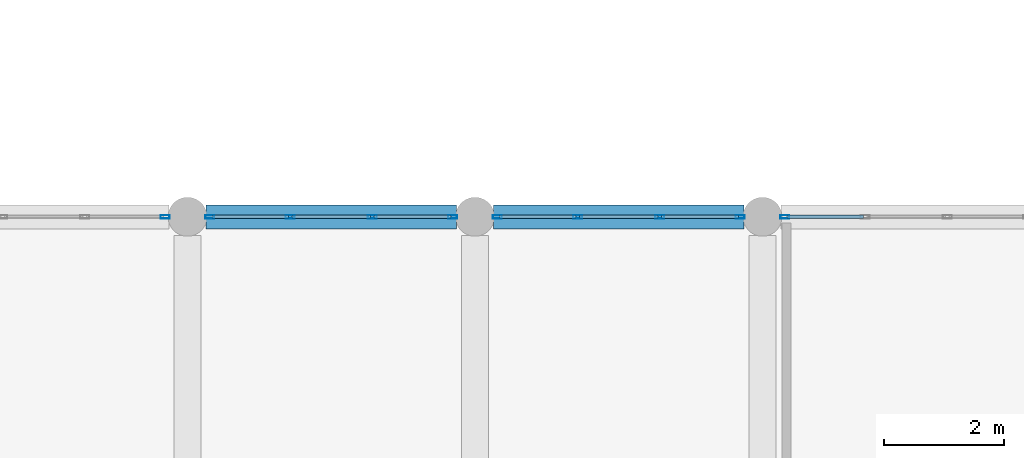
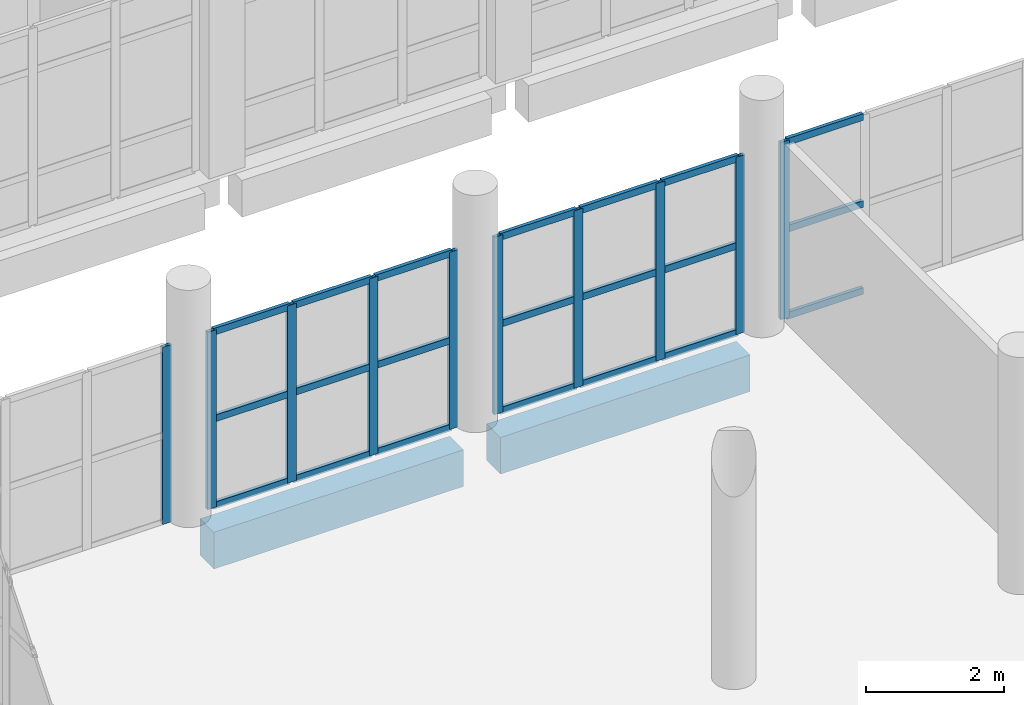
# One storey, part 82 of 164: 31 members, 2 beams, 4 elements without a shape of their own.
"""IFC4 building model written with IfcOpenShell, lengths in metres."""

import ifcopenshell
import ifcopenshell.guid

model = None  # the IFC model being written
_history = None  # IfcOwnerHistory: only IFC2X3 demands one
_inside = {}  # id of a spatial element -> (the spatial element, [elements in it])
_under = {}  # id of a project, library or spatial element -> (it, [spatial elements below it])
_declared = {}  # id of a project -> (the project, [libraries it declares])
_typed = {}  # id of a type object -> (the type object, [elements of that type])
_made_of = {}  # id of a material, layer set ... -> (it, [elements and type objects made of it])


def new_model(schema):
    """Start an empty IFC model of exactly this schema.

    Asked for "IFC4X3", IfcOpenShell would pick the latest addendum, in which some entities
    have other attributes; the version numbers below select the first issue.
    IFC2X3 requires an IfcOwnerHistory on every rooted entity: one is made here for all.
    """
    global model, _history
    if schema == "IFC4X3":
        model = ifcopenshell.file(schema_version=(4, 3, 0, 0))
    else:
        model = ifcopenshell.file(schema=schema)
    _inside.clear()
    _under.clear()
    _declared.clear()
    _typed.clear()
    _made_of.clear()
    _history = None
    if model.schema == "IFC2X3":
        org = make("IfcOrganization", Name="unknown")
        user = make(
            "IfcPersonAndOrganization",
            ThePerson=make("IfcPerson", FamilyName="unknown"),
            TheOrganization=org,
        )
        app = make(
            "IfcApplication",
            ApplicationDeveloper=org,
            Version="unknown",
            ApplicationFullName="unknown",
            ApplicationIdentifier="unknown",
        )
        _history = make(
            "IfcOwnerHistory",
            OwningUser=user,
            OwningApplication=app,
            ChangeAction="ADDED",
            CreationDate=0,
        )
    return model


def make(cls, **values):
    """One entity of the class cls with the attributes given. An attribute that is None is left unset."""
    return model.create_entity(
        cls, **{name: value for name, value in values.items() if value is not None}
    )


def rooted(cls, **values):
    """An entity with a GlobalId (a new one), such as an element, a storey or a relation."""
    return make(cls, GlobalId=ifcopenshell.guid.new(), OwnerHistory=_history, **values)


def si_unit(unit_type, name, prefix=None):
    """IfcSIUnit, for example si_unit("LENGTHUNIT", "METRE", prefix="MILLI")."""
    return make("IfcSIUnit", UnitType=unit_type, Prefix=prefix, Name=name)


def assignment(units):
    """IfcUnitAssignment: the units of a project."""
    return None if units is None else make("IfcUnitAssignment", Units=units)


def point(xyz):
    """IfcCartesianPoint."""
    return None if xyz is None else make("IfcCartesianPoint", Coordinates=xyz)


def direction(xyz):
    """IfcDirection."""
    return None if xyz is None else make("IfcDirection", DirectionRatios=xyz)


def frame(location, z_axis=None, x_axis=None):
    """IfcAxis2Placement3D, a coordinate frame: its origin and axes. An axis left out is left unset."""
    return make(
        "IfcAxis2Placement3D",
        Location=point(location),
        Axis=direction(z_axis),
        RefDirection=direction(x_axis),
    )


def frame_2d(location, x_axis=None):
    """IfcAxis2Placement2D, a coordinate frame in the plane: its origin and x axis."""
    return make(
        "IfcAxis2Placement2D", Location=point(location), RefDirection=direction(x_axis)
    )


def origin():
    """The frame at (0, 0, 0) with its axes left unset."""
    return frame((0.0, 0.0, 0.0))


def origin_2d():
    """The frame at (0, 0) in the plane with its x axis left unset."""
    return frame_2d((0.0, 0.0))


def place(relative_to, where):
    """IfcLocalPlacement: puts the frame where relative to a parent placement (None: the world)."""
    return make(
        "IfcLocalPlacement", PlacementRelTo=relative_to, RelativePlacement=where
    )


def context(
    kind, dimensions, precision=None, world=None, true_north=None, identifier=None
):
    """IfcGeometricRepresentationContext, for example the 3D "Model" context."""
    return make(
        "IfcGeometricRepresentationContext",
        ContextIdentifier=identifier,
        ContextType=kind,
        CoordinateSpaceDimension=dimensions,
        Precision=precision,
        WorldCoordinateSystem=world,
        TrueNorth=true_north,
    )


def subcontext(parent, identifier, kind, view, scale=None):
    """IfcGeometricRepresentationSubContext, for example "Body" below "Model"."""
    return make(
        "IfcGeometricRepresentationSubContext",
        ContextIdentifier=identifier,
        ContextType=kind,
        ParentContext=parent,
        TargetScale=scale,
        TargetView=view,
    )


def project(units=None, contexts=None):
    """IfcProject with its units and contexts."""
    return rooted(
        "IfcProject",
        Name="project",
        RepresentationContexts=contexts,
        UnitsInContext=assignment(units),
    )


def spatial(cls, under=None, at=None, **own):
    """A site, building, storey or space (cls), placed at a placement, below another one or the project."""
    s = rooted(cls, ObjectPlacement=at, **own)
    if under is not None:
        _under.setdefault(under.id(), (under, []))[1].append(s)
    return s


def profile(cls, at=None, kind="AREA", **sizes):
    """A parametric profile (cls). Its sizes go by their IFC names, for example OverallWidth=200.0."""
    return make(cls, ProfileType=kind, Position=at, **sizes)


def rectangle(**sizes):
    """IfcRectangleProfileDef."""
    return profile("IfcRectangleProfileDef", **sizes)


def hollow_rectangle(**sizes):
    """IfcRectangleHollowProfileDef."""
    return profile("IfcRectangleHollowProfileDef", **sizes)


def extrude(swept, where, along, depth):
    """IfcExtrudedAreaSolid: the profile swept, set in the frame where, extruded along a direction by depth."""
    return make(
        "IfcExtrudedAreaSolid",
        SweptArea=swept,
        Position=where,
        ExtrudedDirection=direction(along),
        Depth=depth,
    )


def shape(context_of_items, identifier, shape_type, items):
    """IfcShapeRepresentation: the items that make up one representation, for example the "Body"."""
    return make(
        "IfcShapeRepresentation",
        ContextOfItems=context_of_items,
        RepresentationIdentifier=identifier,
        RepresentationType=shape_type,
        Items=items,
    )


def material(Name=None, Category=None):
    """IfcMaterial."""
    return make("IfcMaterial", Name=Name, Category=Category)


def layer(
    of_material, thickness, ventilated=None, Name=None, Category=None, Priority=None
):
    """IfcMaterialLayer: one layer of a wall or slab, of a material (None: an air gap)."""
    return make(
        "IfcMaterialLayer",
        Material=of_material,
        LayerThickness=thickness,
        IsVentilated=ventilated,
        Name=Name,
        Category=Category,
        Priority=Priority,
    )


def layer_set(layers, Name=None):
    """IfcMaterialLayerSet."""
    return make("IfcMaterialLayerSet", MaterialLayers=layers, LayerSetName=Name)


def material_profile(
    of_material, cross_section, Name=None, Category=None, Priority=None
):
    """IfcMaterialProfile: a cross section and its material."""
    return make(
        "IfcMaterialProfile",
        Name=Name,
        Material=of_material,
        Profile=cross_section,
        Priority=Priority,
        Category=Category,
    )


def profile_set(profiles, Name=None, composite=None):
    """IfcMaterialProfileSet."""
    return make(
        "IfcMaterialProfileSet",
        Name=Name,
        MaterialProfiles=profiles,
        CompositeProfile=composite,
    )


def made_of(thing, what):
    """Note that an element or type object is made of a material, layer set ...; save() writes the relation."""
    if what is not None:
        _made_of.setdefault(what.id(), (what, []))[1].append(thing)
    return thing


def type_object(cls, material=None, **own):
    """A type object (cls), such as IfcWallType, which elements share."""
    return made_of(rooted(cls, **own), material)


def element(
    cls,
    number,
    at=None,
    inside=None,
    cuts=None,
    type_object=None,
    material=None,
    context=None,
    identifier="Body",
    shape_type=None,
    held_by="IfcProductDefinitionShape",
    body=None,
    shapes=None,
    **own,
):
    """One element of the class cls, such as IfcWall. Its Tag is "e" and its number.

    at: its placement. inside: the storey or other place that contains it. cuts: it is an
    opening in that element (IfcRelVoidsElement). A single representation is given by context,
    identifier, shape_type and body (its items); several are given by shapes. held_by: the class
    of the entity that holds the representations. save() writes the other relations.
    """
    e = rooted(cls, Tag="e%d" % number, ObjectPlacement=at, **own)
    if body is not None:
        shapes = [shape(context, identifier, shape_type, body)]
    if shapes is not None:
        e.Representation = make(held_by, Representations=shapes)
    if inside is not None:
        _inside.setdefault(inside.id(), (inside, []))[1].append(e)
    if cuts is not None:
        rooted(
            "IfcRelVoidsElement", RelatingBuildingElement=cuts, RelatedOpeningElement=e
        )
    if type_object is not None:
        _typed.setdefault(type_object.id(), (type_object, []))[1].append(e)
    return made_of(e, material)


def aggregate(whole, parts):
    """IfcRelAggregates: a whole, such as a stair, and the parts it consists of."""
    return rooted("IfcRelAggregates", RelatingObject=whole, RelatedObjects=parts)


def save(model, path):
    """Write the relations noted so far, then the file.

    IfcRelAggregates (storeys below a building ...), IfcRelContainedInSpatialStructure (elements
    in a storey), IfcRelDefinesByType, IfcRelAssociatesMaterial and IfcRelDeclares: one each for
    every whole, place, type object, material and project.
    """
    for whole, parts in _under.values():
        aggregate(whole, parts)
    for where, things in _inside.values():
        rooted(
            "IfcRelContainedInSpatialStructure",
            RelatedElements=things,
            RelatingStructure=where,
        )
    for kind, things in _typed.values():
        rooted("IfcRelDefinesByType", RelatedObjects=things, RelatingType=kind)
    for what, things in _made_of.values():
        rooted("IfcRelAssociatesMaterial", RelatedObjects=things, RelatingMaterial=what)
    for by, libraries in _declared.values():
        rooted("IfcRelDeclares", RelatingContext=by, RelatedDefinitions=libraries)
    model.write(path)


model = new_model("IFC4")

# Units and contexts
model_context = context("Model", 3, precision=1e-05, world=origin(), true_north=direction((0.0, 1.0)))
body_context = subcontext(model_context, "Body", "Model", "MODEL_VIEW")
ifc_project = project(units=[si_unit("LENGTHUNIT", "METRE"), si_unit("AREAUNIT", "SQUARE_METRE"), si_unit("VOLUMEUNIT", "CUBIC_METRE"), si_unit("PLANEANGLEUNIT", "RADIAN"), si_unit("MASSUNIT", "GRAM", prefix="KILO")], contexts=[model_context])

# Site, building, storey
site_placement = place(None, origin())
site = spatial("IfcSite", under=ifc_project, at=site_placement, CompositionType="ELEMENT")
building_placement = place(site_placement, origin())
building = spatial("IfcBuilding", under=site, at=building_placement, Name="Mawjan Specialist Oncology Clinic", CompositionType="ELEMENT")
storey_placement = place(building_placement, frame((0.0, 0.0, 5.0)))
storey = spatial("IfcBuildingStorey", under=building, at=storey_placement, Name="L01", CompositionType="ELEMENT", Elevation=5.0)

# Curtain wall, member
ifc_material_1 = material(Name="Unitised spectrally selective aluminium curtain wall", Category="aluminium")
ifc_layer = layer(ifc_material_1, 0.179931640625, Name="Unitised spectrally selective aluminium curtain wall", Category="aluminium")
ifc_layer_set = layer_set([ifc_layer], Name="Unitised spectrally selective aluminium curtain wall")
curtain_wall_type = type_object("IfcCurtainWallType", Name="CW-56", PredefinedType="NOTDEFINED", material=ifc_layer_set)
curtain_wall_1_placement = place(storey_placement, origin())
curtain_wall_1 = element("IfcCurtainWall", 1, at=curtain_wall_1_placement, inside=storey, type_object=curtain_wall_type, Name="L01 Unitised Curtain Wall CW-L01-103", PredefinedType="NOTDEFINED")
ifc_material_2 = material(Name="Thermally broken aluminium 6063-T6", Category="aluminium")
ifc_material_profile_1 = material_profile(ifc_material_2, hollow_rectangle(XDim=0.06005859375, YDim=0.14990234375, WallThickness=0.00390625, at=origin_2d()), Name="ALU MULLION 150x60x4", Category="aluminium")
ifc_profile_set_1 = profile_set([ifc_material_profile_1], Name="Thermally broken aluminium 6063-T6")
member_type_1 = type_object("IfcMemberType", Name="CW-M150", PredefinedType="MULLION", material=ifc_profile_set_1)
member_1_placement = place(storey_placement, frame((64.425048828125, 75.800048828125, 0.0), z_axis=(0.0, 0.0, 1.0), x_axis=(0.0, 1.0, 0.0)))
member_1 = element("IfcMember", 2, at=member_1_placement, type_object=member_type_1, Name="CW-56 mullion 4", PredefinedType="MULLION", context=body_context, shape_type="SweptSolid", body=[
    extrude(hollow_rectangle(XDim=0.06005859375, YDim=0.14990234375, WallThickness=0.00390625, at=origin_2d()), origin(), (0.0, 0.0, 1.0), 3.139892578125),
])
aggregate(curtain_wall_1, [member_1])

# Curtain wall, members
curtain_wall_2_placement = place(storey_placement, origin())
curtain_wall_2 = element("IfcCurtainWall", 3, at=curtain_wall_2_placement, inside=storey, type_object=curtain_wall_type, Name="L01 Unitised Curtain Wall CW-L01-104", PredefinedType="NOTDEFINED")
member_2_placement = place(storey_placement, frame((65.175048828125, 75.800048828125, 0.0), z_axis=(0.0, 0.0, 1.0), x_axis=(0.0, 1.0, 0.0)))
member_2 = element("IfcMember", 4, at=member_2_placement, type_object=member_type_1, Name="CW-56 mullion 1", PredefinedType="MULLION", context=body_context, shape_type="SweptSolid", body=[
    extrude(hollow_rectangle(XDim=0.06005859375, YDim=0.14990234375, WallThickness=0.00390625, at=origin_2d()), origin(), (0.0, 0.0, 1.0), 3.139892578125),
])
member_3_placement = place(storey_placement, frame((66.514892578125, 75.800048828125, 0.0), z_axis=(0.0, 0.0, 1.0), x_axis=(0.0, 1.0, 0.0)))
member_3 = element("IfcMember", 5, at=member_3_placement, type_object=member_type_1, Name="CW-56 mullion 2", PredefinedType="MULLION", context=body_context, shape_type="SweptSolid", body=[
    extrude(hollow_rectangle(XDim=0.06005859375, YDim=0.14990234375, WallThickness=0.00390625, at=origin_2d()), origin(), (0.0, 0.0, 1.0), 3.139892578125),
])
member_4_placement = place(storey_placement, frame((67.885009765625, 75.800048828125, 0.0), z_axis=(0.0, 0.0, 1.0), x_axis=(0.0, 1.0, 0.0)))
member_4 = element("IfcMember", 6, at=member_4_placement, type_object=member_type_1, Name="CW-56 mullion 3", PredefinedType="MULLION", context=body_context, shape_type="SweptSolid", body=[
    extrude(hollow_rectangle(XDim=0.06005859375, YDim=0.14990234375, WallThickness=0.00390625, at=origin_2d()), origin(), (0.0, 0.0, 1.0), 3.139892578125),
])
member_5_placement = place(storey_placement, frame((69.22509765625, 75.800048828125, 0.0), z_axis=(0.0, 0.0, 1.0), x_axis=(0.0, 1.0, 0.0)))
member_5 = element("IfcMember", 7, at=member_5_placement, type_object=member_type_1, Name="CW-56 mullion 4", PredefinedType="MULLION", context=body_context, shape_type="SweptSolid", body=[
    extrude(hollow_rectangle(XDim=0.06005859375, YDim=0.14990234375, WallThickness=0.00390625, at=origin_2d()), origin(), (0.0, 0.0, 1.0), 3.139892578125),
])

curtain_wall_3_placement = place(storey_placement, origin())
curtain_wall_3 = element("IfcCurtainWall", 8, at=curtain_wall_3_placement, inside=storey, type_object=curtain_wall_type, Name="L01 Unitised Curtain Wall CW-L01-105", PredefinedType="NOTDEFINED")
member_6_placement = place(storey_placement, frame((69.97509765625, 75.800048828125, 0.0), z_axis=(0.0, 0.0, 1.0), x_axis=(0.0, 1.0, 0.0)))
member_6 = element("IfcMember", 9, at=member_6_placement, type_object=member_type_1, Name="CW-56 mullion 1", PredefinedType="MULLION", context=body_context, shape_type="SweptSolid", body=[
    extrude(hollow_rectangle(XDim=0.06005859375, YDim=0.14990234375, WallThickness=0.00390625, at=origin_2d()), origin(), (0.0, 0.0, 1.0), 3.139892578125),
])
member_7_placement = place(storey_placement, frame((71.31494140625, 75.800048828125, 0.0), z_axis=(0.0, 0.0, 1.0), x_axis=(0.0, 1.0, 0.0)))
member_7 = element("IfcMember", 10, at=member_7_placement, type_object=member_type_1, Name="CW-56 mullion 2", PredefinedType="MULLION", context=body_context, shape_type="SweptSolid", body=[
    extrude(hollow_rectangle(XDim=0.06005859375, YDim=0.14990234375, WallThickness=0.00390625, at=origin_2d()), origin(), (0.0, 0.0, 1.0), 3.139892578125),
])
member_8_placement = place(storey_placement, frame((72.68505859375, 75.800048828125, 0.0), z_axis=(0.0, 0.0, 1.0), x_axis=(0.0, 1.0, 0.0)))
member_8 = element("IfcMember", 11, at=member_8_placement, type_object=member_type_1, Name="CW-56 mullion 3", PredefinedType="MULLION", context=body_context, shape_type="SweptSolid", body=[
    extrude(hollow_rectangle(XDim=0.06005859375, YDim=0.14990234375, WallThickness=0.00390625, at=origin_2d()), origin(), (0.0, 0.0, 1.0), 3.139892578125),
])
member_9_placement = place(storey_placement, frame((74.02490234375, 75.800048828125, 0.0), z_axis=(0.0, 0.0, 1.0), x_axis=(0.0, 1.0, 0.0)))
member_9 = element("IfcMember", 12, at=member_9_placement, type_object=member_type_1, Name="CW-56 mullion 4", PredefinedType="MULLION", context=body_context, shape_type="SweptSolid", body=[
    extrude(hollow_rectangle(XDim=0.06005859375, YDim=0.14990234375, WallThickness=0.00390625, at=origin_2d()), origin(), (0.0, 0.0, 1.0), 3.139892578125),
])

# Curtain wall, member
curtain_wall_4_placement = place(storey_placement, origin())
curtain_wall_4 = element("IfcCurtainWall", 13, at=curtain_wall_4_placement, inside=storey, type_object=curtain_wall_type, Name="L01 Unitised Curtain Wall CW-L01-106", PredefinedType="NOTDEFINED")
member_10_placement = place(storey_placement, frame((74.77490234375, 75.800048828125, 0.0), z_axis=(0.0, 0.0, 1.0), x_axis=(0.0, 1.0, 0.0)))
member_10 = element("IfcMember", 14, at=member_10_placement, type_object=member_type_1, Name="CW-56 mullion 1", PredefinedType="MULLION", context=body_context, shape_type="SweptSolid", body=[
    extrude(hollow_rectangle(XDim=0.06005859375, YDim=0.14990234375, WallThickness=0.00390625, at=origin_2d()), origin(), (0.0, 0.0, 1.0), 3.139892578125),
])

# Member
ifc_material_3 = material(Name="Thermally broken aluminium 6063-T6", Category="aluminium")
ifc_material_profile_2 = material_profile(ifc_material_3, hollow_rectangle(XDim=0.06005859375, YDim=0.1201171875, WallThickness=0.00390625, at=origin_2d()), Name="ALU TRANSOM 120x60x4", Category="aluminium")
ifc_profile_set_2 = profile_set([ifc_material_profile_2], Name="Thermally broken aluminium 6063-T6")
member_type_2 = type_object("IfcMemberType", Name="CW-T120", PredefinedType="USERDEFINED", material=ifc_profile_set_2)
member_11_placement = place(storey_placement, frame((65.205078125, 75.800048828125, 0.030029296875), z_axis=(1.0, 0.0, 0.0), x_axis=(0.0, 1.0, 0.0)))
member_11 = element("IfcMember", 15, at=member_11_placement, type_object=member_type_2, Name="CW-56 transom 1.1", ObjectType="TRANSOM", PredefinedType="USERDEFINED", context=body_context, shape_type="SweptSolid", body=[
    extrude(hollow_rectangle(XDim=0.06005859375, YDim=0.1201171875, WallThickness=0.00390625, at=origin_2d()), origin(), (0.0, 0.0, 1.0), 1.280029296875),
])

member_12_placement = place(storey_placement, frame((65.205078125, 75.800048828125, 1.570068359375), z_axis=(1.0, 0.0, 0.0), x_axis=(0.0, 1.0, 0.0)))
member_12 = element("IfcMember", 16, at=member_12_placement, type_object=member_type_2, Name="CW-56 transom 1.2", ObjectType="TRANSOM", PredefinedType="USERDEFINED", context=body_context, shape_type="SweptSolid", body=[
    extrude(hollow_rectangle(XDim=0.06005859375, YDim=0.1201171875, WallThickness=0.00390625, at=origin_2d()), origin(), (0.0, 0.0, 1.0), 1.280029296875),
])

member_13_placement = place(storey_placement, frame((65.205078125, 75.800048828125, 3.110107421875), z_axis=(1.0, 0.0, 0.0), x_axis=(0.0, 1.0, 0.0)))
member_13 = element("IfcMember", 17, at=member_13_placement, type_object=member_type_2, Name="CW-56 transom 1.3", ObjectType="TRANSOM", PredefinedType="USERDEFINED", context=body_context, shape_type="SweptSolid", body=[
    extrude(hollow_rectangle(XDim=0.06005859375, YDim=0.1201171875, WallThickness=0.00390625, at=origin_2d()), origin(), (0.0, 0.0, 1.0), 1.280029296875),
])

member_14_placement = place(storey_placement, frame((66.544921875, 75.800048828125, 0.030029296875), z_axis=(1.0, 0.0, 0.0), x_axis=(0.0, 1.0, 0.0)))
member_14 = element("IfcMember", 18, at=member_14_placement, type_object=member_type_2, Name="CW-56 transom 2.1", ObjectType="TRANSOM", PredefinedType="USERDEFINED", context=body_context, shape_type="SweptSolid", body=[
    extrude(hollow_rectangle(XDim=0.06005859375, YDim=0.1201171875, WallThickness=0.00390625, at=origin_2d()), origin(), (0.0, 0.0, 1.0), 1.31005859375),
])

member_15_placement = place(storey_placement, frame((66.544921875, 75.800048828125, 1.570068359375), z_axis=(1.0, 0.0, 0.0), x_axis=(0.0, 1.0, 0.0)))
member_15 = element("IfcMember", 19, at=member_15_placement, type_object=member_type_2, Name="CW-56 transom 2.2", ObjectType="TRANSOM", PredefinedType="USERDEFINED", context=body_context, shape_type="SweptSolid", body=[
    extrude(hollow_rectangle(XDim=0.06005859375, YDim=0.1201171875, WallThickness=0.00390625, at=origin_2d()), origin(), (0.0, 0.0, 1.0), 1.31005859375),
])

member_16_placement = place(storey_placement, frame((66.544921875, 75.800048828125, 3.110107421875), z_axis=(1.0, 0.0, 0.0), x_axis=(0.0, 1.0, 0.0)))
member_16 = element("IfcMember", 20, at=member_16_placement, type_object=member_type_2, Name="CW-56 transom 2.3", ObjectType="TRANSOM", PredefinedType="USERDEFINED", context=body_context, shape_type="SweptSolid", body=[
    extrude(hollow_rectangle(XDim=0.06005859375, YDim=0.1201171875, WallThickness=0.00390625, at=origin_2d()), origin(), (0.0, 0.0, 1.0), 1.31005859375),
])

member_17_placement = place(storey_placement, frame((67.9150390625, 75.800048828125, 0.030029296875), z_axis=(1.0, 0.0, 0.0), x_axis=(0.0, 1.0, 0.0)))
member_17 = element("IfcMember", 21, at=member_17_placement, type_object=member_type_2, Name="CW-56 transom 3.1", ObjectType="TRANSOM", PredefinedType="USERDEFINED", context=body_context, shape_type="SweptSolid", body=[
    extrude(hollow_rectangle(XDim=0.06005859375, YDim=0.1201171875, WallThickness=0.00390625, at=origin_2d()), origin(), (0.0, 0.0, 1.0), 1.280029296875),
])

member_18_placement = place(storey_placement, frame((67.9150390625, 75.800048828125, 1.570068359375), z_axis=(1.0, 0.0, 0.0), x_axis=(0.0, 1.0, 0.0)))
member_18 = element("IfcMember", 22, at=member_18_placement, type_object=member_type_2, Name="CW-56 transom 3.2", ObjectType="TRANSOM", PredefinedType="USERDEFINED", context=body_context, shape_type="SweptSolid", body=[
    extrude(hollow_rectangle(XDim=0.06005859375, YDim=0.1201171875, WallThickness=0.00390625, at=origin_2d()), origin(), (0.0, 0.0, 1.0), 1.280029296875),
])

member_19_placement = place(storey_placement, frame((67.9150390625, 75.800048828125, 3.110107421875), z_axis=(1.0, 0.0, 0.0), x_axis=(0.0, 1.0, 0.0)))
member_19 = element("IfcMember", 23, at=member_19_placement, type_object=member_type_2, Name="CW-56 transom 3.3", ObjectType="TRANSOM", PredefinedType="USERDEFINED", context=body_context, shape_type="SweptSolid", body=[
    extrude(hollow_rectangle(XDim=0.06005859375, YDim=0.1201171875, WallThickness=0.00390625, at=origin_2d()), origin(), (0.0, 0.0, 1.0), 1.280029296875),
])

aggregate(curtain_wall_2, [member_2, member_3, member_4, member_5, member_11, member_12, member_13, member_14, member_15, member_16, member_17, member_18, member_19])

member_20_placement = place(storey_placement, frame((70.0048828125, 75.800048828125, 0.030029296875), z_axis=(1.0, 0.0, 0.0), x_axis=(0.0, 1.0, 0.0)))
member_20 = element("IfcMember", 24, at=member_20_placement, type_object=member_type_2, Name="CW-56 transom 1.1", ObjectType="TRANSOM", PredefinedType="USERDEFINED", context=body_context, shape_type="SweptSolid", body=[
    extrude(hollow_rectangle(XDim=0.06005859375, YDim=0.1201171875, WallThickness=0.00390625, at=origin_2d()), origin(), (0.0, 0.0, 1.0), 1.280029296875),
])

member_21_placement = place(storey_placement, frame((70.0048828125, 75.800048828125, 1.570068359375), z_axis=(1.0, 0.0, 0.0), x_axis=(0.0, 1.0, 0.0)))
member_21 = element("IfcMember", 25, at=member_21_placement, type_object=member_type_2, Name="CW-56 transom 1.2", ObjectType="TRANSOM", PredefinedType="USERDEFINED", context=body_context, shape_type="SweptSolid", body=[
    extrude(hollow_rectangle(XDim=0.06005859375, YDim=0.1201171875, WallThickness=0.00390625, at=origin_2d()), origin(), (0.0, 0.0, 1.0), 1.280029296875),
])

member_22_placement = place(storey_placement, frame((70.0048828125, 75.800048828125, 3.110107421875), z_axis=(1.0, 0.0, 0.0), x_axis=(0.0, 1.0, 0.0)))
member_22 = element("IfcMember", 26, at=member_22_placement, type_object=member_type_2, Name="CW-56 transom 1.3", ObjectType="TRANSOM", PredefinedType="USERDEFINED", context=body_context, shape_type="SweptSolid", body=[
    extrude(hollow_rectangle(XDim=0.06005859375, YDim=0.1201171875, WallThickness=0.00390625, at=origin_2d()), origin(), (0.0, 0.0, 1.0), 1.280029296875),
])

member_23_placement = place(storey_placement, frame((71.344970703125, 75.800048828125, 0.030029296875), z_axis=(1.0, 0.0, 0.0), x_axis=(0.0, 1.0, 0.0)))
member_23 = element("IfcMember", 27, at=member_23_placement, type_object=member_type_2, Name="CW-56 transom 2.1", ObjectType="TRANSOM", PredefinedType="USERDEFINED", context=body_context, shape_type="SweptSolid", body=[
    extrude(hollow_rectangle(XDim=0.06005859375, YDim=0.1201171875, WallThickness=0.00390625, at=origin_2d()), origin(), (0.0, 0.0, 1.0), 1.31005859375),
])

member_24_placement = place(storey_placement, frame((71.344970703125, 75.800048828125, 1.570068359375), z_axis=(1.0, 0.0, 0.0), x_axis=(0.0, 1.0, 0.0)))
member_24 = element("IfcMember", 28, at=member_24_placement, type_object=member_type_2, Name="CW-56 transom 2.2", ObjectType="TRANSOM", PredefinedType="USERDEFINED", context=body_context, shape_type="SweptSolid", body=[
    extrude(hollow_rectangle(XDim=0.06005859375, YDim=0.1201171875, WallThickness=0.00390625, at=origin_2d()), origin(), (0.0, 0.0, 1.0), 1.31005859375),
])

member_25_placement = place(storey_placement, frame((71.344970703125, 75.800048828125, 3.110107421875), z_axis=(1.0, 0.0, 0.0), x_axis=(0.0, 1.0, 0.0)))
member_25 = element("IfcMember", 29, at=member_25_placement, type_object=member_type_2, Name="CW-56 transom 2.3", ObjectType="TRANSOM", PredefinedType="USERDEFINED", context=body_context, shape_type="SweptSolid", body=[
    extrude(hollow_rectangle(XDim=0.06005859375, YDim=0.1201171875, WallThickness=0.00390625, at=origin_2d()), origin(), (0.0, 0.0, 1.0), 1.31005859375),
])

member_26_placement = place(storey_placement, frame((72.715087890625, 75.800048828125, 0.030029296875), z_axis=(1.0, 0.0, 0.0), x_axis=(0.0, 1.0, 0.0)))
member_26 = element("IfcMember", 30, at=member_26_placement, type_object=member_type_2, Name="CW-56 transom 3.1", ObjectType="TRANSOM", PredefinedType="USERDEFINED", context=body_context, shape_type="SweptSolid", body=[
    extrude(hollow_rectangle(XDim=0.06005859375, YDim=0.1201171875, WallThickness=0.00390625, at=origin_2d()), origin(), (0.0, 0.0, 1.0), 1.280029296875),
])

member_27_placement = place(storey_placement, frame((72.715087890625, 75.800048828125, 1.570068359375), z_axis=(1.0, 0.0, 0.0), x_axis=(0.0, 1.0, 0.0)))
member_27 = element("IfcMember", 31, at=member_27_placement, type_object=member_type_2, Name="CW-56 transom 3.2", ObjectType="TRANSOM", PredefinedType="USERDEFINED", context=body_context, shape_type="SweptSolid", body=[
    extrude(hollow_rectangle(XDim=0.06005859375, YDim=0.1201171875, WallThickness=0.00390625, at=origin_2d()), origin(), (0.0, 0.0, 1.0), 1.280029296875),
])

member_28_placement = place(storey_placement, frame((72.715087890625, 75.800048828125, 3.110107421875), z_axis=(1.0, 0.0, 0.0), x_axis=(0.0, 1.0, 0.0)))
member_28 = element("IfcMember", 32, at=member_28_placement, type_object=member_type_2, Name="CW-56 transom 3.3", ObjectType="TRANSOM", PredefinedType="USERDEFINED", context=body_context, shape_type="SweptSolid", body=[
    extrude(hollow_rectangle(XDim=0.06005859375, YDim=0.1201171875, WallThickness=0.00390625, at=origin_2d()), origin(), (0.0, 0.0, 1.0), 1.280029296875),
])

aggregate(curtain_wall_3, [member_6, member_7, member_8, member_9, member_20, member_21, member_22, member_23, member_24, member_25, member_26, member_27, member_28])

member_29_placement = place(storey_placement, frame((74.804931640625, 75.800048828125, 0.030029296875), z_axis=(1.0, 0.0, 0.0), x_axis=(0.0, 1.0, 0.0)))
member_29 = element("IfcMember", 33, at=member_29_placement, type_object=member_type_2, Name="CW-56 transom 1.1", ObjectType="TRANSOM", PredefinedType="USERDEFINED", context=body_context, shape_type="SweptSolid", body=[
    extrude(hollow_rectangle(XDim=0.06005859375, YDim=0.1201171875, WallThickness=0.00390625, at=origin_2d()), origin(), (0.0, 0.0, 1.0), 1.280029296875),
])

member_30_placement = place(storey_placement, frame((74.804931640625, 75.800048828125, 1.570068359375), z_axis=(1.0, 0.0, 0.0), x_axis=(0.0, 1.0, 0.0)))
member_30 = element("IfcMember", 34, at=member_30_placement, type_object=member_type_2, Name="CW-56 transom 1.2", ObjectType="TRANSOM", PredefinedType="USERDEFINED", context=body_context, shape_type="SweptSolid", body=[
    extrude(hollow_rectangle(XDim=0.06005859375, YDim=0.1201171875, WallThickness=0.00390625, at=origin_2d()), origin(), (0.0, 0.0, 1.0), 1.280029296875),
])

member_31_placement = place(storey_placement, frame((74.804931640625, 75.800048828125, 3.110107421875), z_axis=(1.0, 0.0, 0.0), x_axis=(0.0, 1.0, 0.0)))
member_31 = element("IfcMember", 35, at=member_31_placement, type_object=member_type_2, Name="CW-56 transom 1.3", ObjectType="TRANSOM", PredefinedType="USERDEFINED", context=body_context, shape_type="SweptSolid", body=[
    extrude(hollow_rectangle(XDim=0.06005859375, YDim=0.1201171875, WallThickness=0.00390625, at=origin_2d()), origin(), (0.0, 0.0, 1.0), 1.280029296875),
])

aggregate(curtain_wall_4, [member_10, member_29, member_30, member_31])

# Beams
ifc_material_4 = material(Name="Concrete C45/55", Category="concrete")
ifc_material_profile_3 = material_profile(ifc_material_4, rectangle(XDim=0.39990234375, YDim=0.64990234375, at=origin_2d()), Name="RC BM 400x650", Category="concrete")
ifc_profile_set_3 = profile_set([ifc_material_profile_3], Name="Concrete C45/55")
beam_type = type_object("IfcBeamType", Name="SP-400x650", PredefinedType="SPANDREL", material=ifc_profile_set_3)
beam_1_placement = place(storey_placement, frame((65.110107421875, 75.800048828125, -0.625), z_axis=(1.0, 0.0, 0.0), x_axis=(0.0, 1.0, 0.0)))
element("IfcBeam", 36, at=beam_1_placement, inside=storey, type_object=beam_type, Name="L01 Spandrel Beam BM-L01-0326", PredefinedType="SPANDREL", context=body_context, shape_type="SweptSolid", body=[
    extrude(rectangle(XDim=0.39990234375, YDim=0.64990234375, at=origin_2d()), origin(), (0.0, 0.0, 1.0), 4.179931640625),
])
beam_2_placement = place(storey_placement, frame((69.909912109375, 75.800048828125, -0.625), z_axis=(1.0, 0.0, 0.0), x_axis=(0.0, 1.0, 0.0)))
element("IfcBeam", 37, at=beam_2_placement, inside=storey, type_object=beam_type, Name="L01 Spandrel Beam BM-L01-0327", PredefinedType="SPANDREL", context=body_context, shape_type="SweptSolid", body=[
    extrude(rectangle(XDim=0.39990234375, YDim=0.64990234375, at=origin_2d()), origin(), (0.0, 0.0, 1.0), 4.18017578125),
])

save(model, "model.ifc")
